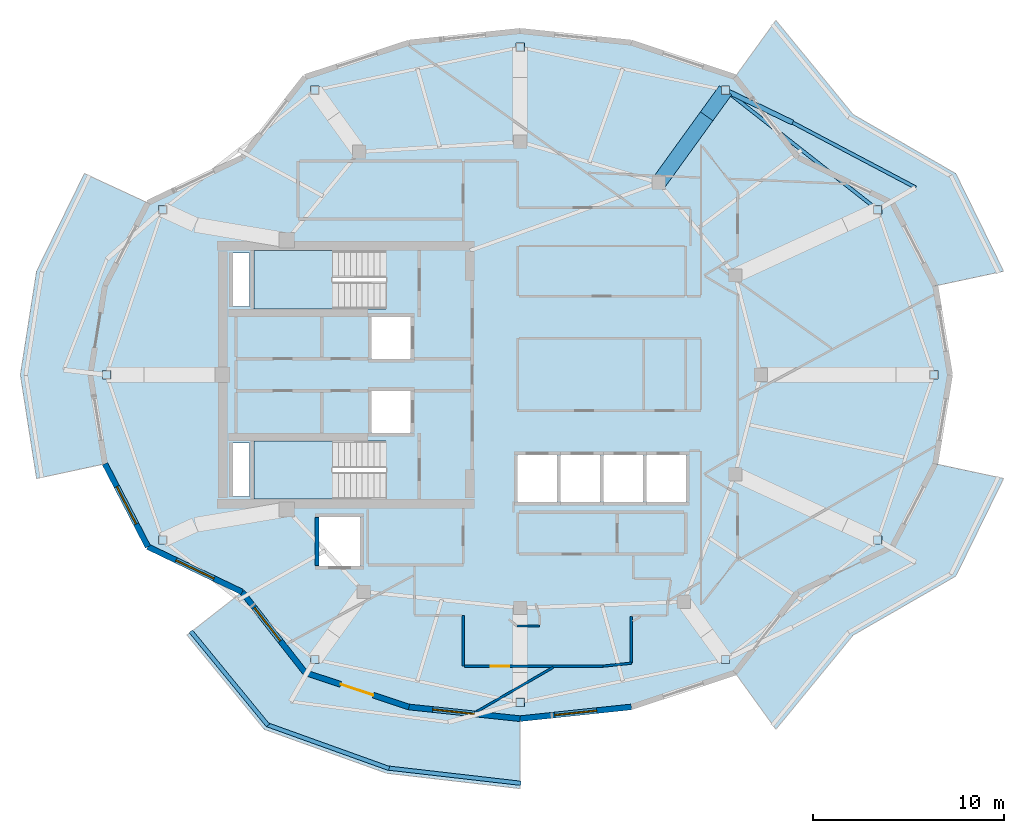
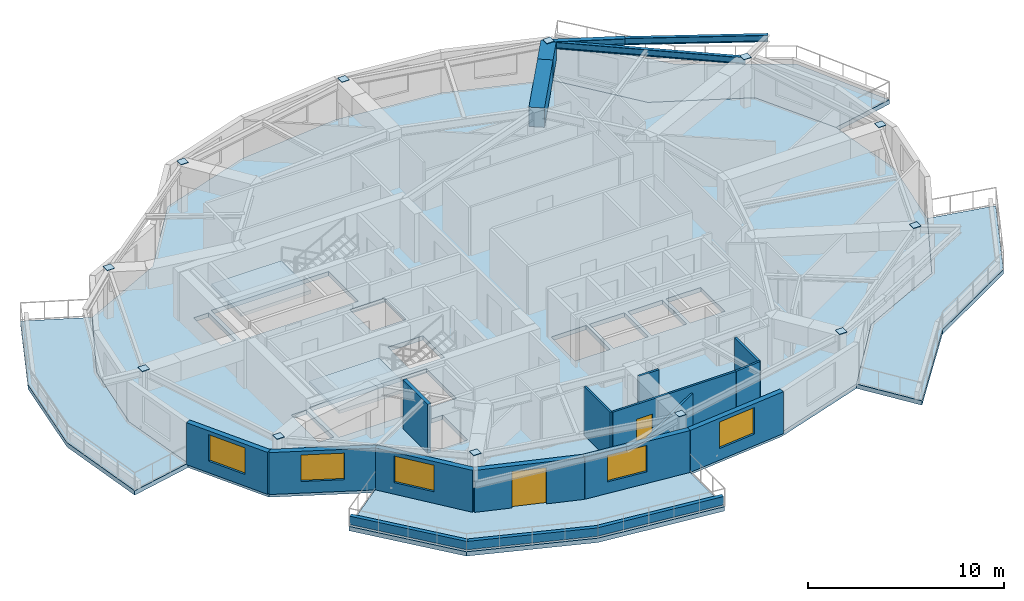
# One storey, part 3 of 11: 16 walls, 12 plates, 7 slabs, 5 beams, 5 windows, 2 doors, 7 openings, 2 elements without a shape of their own.
"""IFC4 building model written with IfcOpenShell, lengths in metres."""

from ifc_helpers import new_model, si_unit, direction, frame, frame_2d, origin, origin_2d, place, context, subcontext, project, spatial, polyline, rectangle, i_section, outline, extrude, material, layer, layer_set, material_profile, profile_set, type_object, element, fill, aggregate, save


model = new_model("IFC4")

# Units and contexts
model_context = context("Model", 3, precision=1e-05, world=origin(), true_north=direction((0.0, 1.0)))
body_context = subcontext(model_context, "Body", "Model", "MODEL_VIEW")
ifc_project = project(units=[si_unit("LENGTHUNIT", "METRE"), si_unit("AREAUNIT", "SQUARE_METRE"), si_unit("VOLUMEUNIT", "CUBIC_METRE"), si_unit("PLANEANGLEUNIT", "RADIAN"), si_unit("MASSUNIT", "GRAM", prefix="KILO")], contexts=[model_context])

# Site, building, storey
site_placement = place(None, origin())
site = spatial("IfcSite", under=ifc_project, at=site_placement, CompositionType="ELEMENT")
building_placement = place(site_placement, origin())
building = spatial("IfcBuilding", under=site, at=building_placement, Name="Kolvaren Gate Tower and Convention Centre", CompositionType="ELEMENT")
storey_placement = place(building_placement, frame((0.0, 0.0, 255.800048828125)))
storey = spatial("IfcBuildingStorey", under=building, at=storey_placement, Name="L69", CompositionType="ELEMENT", Elevation=255.800048828125)

# Beams
ifc_material_1 = material(Name="Structural steel ASTM A992 Grade 345 MPa", Category="steel")
ifc_material_profile_1 = material_profile(ifc_material_1, i_section(OverallWidth=0.260009765625, OverallDepth=0.419921875, WebThickness=0.013427734375, FlangeThickness=0.0224609375, at=origin_2d()), Name="W410X132")
ifc_profile_set_1 = profile_set([ifc_material_profile_1], Name="Structural steel ASTM A992 Grade 345 MPa")
beam_type_1 = type_object("IfcBeamType", Name="STR-BM-W410X132", PredefinedType="BEAM", material=ifc_profile_set_1)
beam_1_placement = place(storey_placement, frame((40.877685546875, 41.899169921875, 2.820556640625), z_axis=(0.900903770379, -0.434018889586, 0.0), x_axis=(0.434018889586, 0.900903770379, 0.0)))
element("IfcBeam", 1, at=beam_1_placement, inside=storey, type_object=beam_type_1, Name="Tower L70 Planted Balcony Outrigger Cantilever BC-1B", PredefinedType="BEAM", context=body_context, shape_type="SweptSolid", body=[
    extrude(i_section(OverallWidth=0.260009765625, OverallDepth=0.419921875, WebThickness=0.013427734375, FlangeThickness=0.0224609375, at=origin_2d()), origin(), (0.0, 0.0, 1.0), 3.89990234375),
])
ifc_material_profile_2 = material_profile(ifc_material_1, i_section(OverallWidth=0.180908203125, OverallDepth=0.4169921875, WebThickness=0.010986328125, FlangeThickness=0.018310546875, at=origin_2d()), Name="W410X85")
ifc_profile_set_2 = profile_set([ifc_material_profile_2], Name="Structural steel ASTM A992 Grade 345 MPa")
beam_type_2 = type_object("IfcBeamType", Name="STR-SP-W410X85", PredefinedType="SPANDREL", material=ifc_profile_set_2)
beam_2_placement = place(storey_placement, frame((48.8388671875, 35.6435546875, 2.821533203125), z_axis=(-0.786299093723, 0.61784604491, 0.0), x_axis=(-0.61784604491, -0.786299093723, 0.0)))
element("IfcBeam", 2, at=beam_2_placement, inside=storey, type_object=beam_type_2, Name="Tower L69 Perimeter Spandrel Beam SP-02", PredefinedType="SPANDREL", context=body_context, shape_type="SweptSolid", body=[
    extrude(i_section(OverallWidth=0.180908203125, OverallDepth=0.4169921875, WebThickness=0.010986328125, FlangeThickness=0.018310546875, at=origin_2d()), origin(), (0.0, 0.0, 1.0), 10.124755859375),
])
beam_3_placement = place(storey_placement, frame((50.83251953125, 36.8046875, 2.822021484375), z_axis=(-0.884258670373, 0.466997434543, 0.0), x_axis=(-0.466997434543, -0.884258670373, 0.0)))
element("IfcBeam", 3, at=beam_3_placement, inside=storey, type_object=beam_type_2, Name="Tower L70 Planted Balcony Header Tie Beam BT-1", PredefinedType="SPANDREL", context=body_context, shape_type="SweptSolid", body=[
    extrude(i_section(OverallWidth=0.180908203125, OverallDepth=0.4169921875, WebThickness=0.010986328125, FlangeThickness=0.018310546875, at=origin_2d()), origin(), (0.0, 0.0, 1.0), 7.284423828125),
])
ifc_material_2 = material(Name="Concrete C70/85", Category="concrete")
ifc_material_profile_3 = material_profile(ifc_material_2, rectangle(XDim=0.800048828125, YDim=1.199951171875, at=origin_2d()), Name="RC-BM-800X1200")
ifc_profile_set_3 = profile_set([ifc_material_profile_3], Name="Concrete C70/85")
beam_type_3 = type_object("IfcBeamType", Name="STR-TG-RC800X1200", PredefinedType="USERDEFINED", material=ifc_profile_set_3)
beam_4_placement = place(storey_placement, frame((37.381591796875, 37.054931640625, 2.430419921875), z_axis=(0.585218448818, 0.810875679228, 0.0), x_axis=(-0.810875679228, 0.585218448818, 0.0)))
element("IfcBeam", 4, at=beam_4_placement, inside=storey, type_object=beam_type_3, Name="Tower L69 Zone-Transition Radial Transfer Girder XFG-03A", ObjectType="TRANSFER GIRDER", PredefinedType="USERDEFINED", context=body_context, shape_type="SweptSolid", body=[
    extrude(rectangle(XDim=0.800048828125, YDim=1.199951171875, at=origin_2d()), origin(), (0.0, 0.0, 1.0), 4.2919921875),
])
beam_5_placement = place(storey_placement, frame((39.893310546875, 40.53515625, 2.430419921875), z_axis=(0.585199061098, 0.810889671219, 0.0), x_axis=(-0.810889671219, 0.585199061098, 0.0)))
element("IfcBeam", 5, at=beam_5_placement, inside=storey, type_object=beam_type_3, Name="Tower L69 Zone-Transition Radial Transfer Girder XFG-03B", ObjectType="TRANSFER GIRDER", PredefinedType="USERDEFINED", context=body_context, shape_type="SweptSolid", body=[
    extrude(rectangle(XDim=0.800048828125, YDim=1.199951171875, at=origin_2d()), origin(), (0.0, 0.0, 1.0), 1.68212890625),
])

# Plates
ifc_material_3 = material(Name="Structural steel plate ASTM A572 Grade 345 MPa", Category="steel")
ifc_layer_1 = layer(ifc_material_3, 0.030029296875)
ifc_layer_set_1 = layer_set([ifc_layer_1], Name="Structural steel plate ASTM A572 Grade 345 MPa")
plate_type = type_object("IfcPlateType", Name="STR-PL-CAP-30", PredefinedType="USERDEFINED", material=ifc_layer_set_1)
for number, where, z_axis, x_axis, name in (
    (6, (51.77490234375, 27.0, 3.02685546875), (0.0, 0.0, 1.0), (1.0, 0.0, 0.0), "Supercolumn L69 TP-01 Welded Steel Cap Plate"),
    (7, (48.8388671875, 35.6435546875, 3.02685546875), (0.0, 0.0, 1.0), (1.0, 0.0, 0.0), "Supercolumn L69 TP-02 Welded Steel Cap Plate"),
    (8, (40.877685546875, 41.899169921875, 3.02685546875), (0.0, 0.0, 1.0), (1.0, 0.0, 0.0), "Supercolumn L69 TP-03 Welded Steel Cap Plate"),
    (9, (30.125, 44.14990234375, 3.02685546875), (0.0, 0.0, 1.0), (1.0, 0.0, 0.0), "Supercolumn L69 TP-04 Welded Steel Cap Plate"),
    (10, (19.372314453125, 41.899169921875, 3.02685546875), (0.0, 0.0, 1.0), (1.0, 0.0, 0.0), "Supercolumn L69 TP-05 Welded Steel Cap Plate"),
    (11, (11.4111328125, 35.6435546875, 3.02685546875), (0.0, 0.0, 1.0), (1.0, 0.0, 0.0), "Supercolumn L69 TP-06 Welded Steel Cap Plate"),
    (12, (8.47509765625, 27.0, 3.02685546875), (0.0, 0.0, 1.0), (1.0, 0.0, 0.0), "Supercolumn L69 TP-07 Welded Steel Cap Plate"),
    (13, (11.4111328125, 18.3564453125, 3.02685546875), (0.0, 0.0, 1.0), (1.0, 0.0, 0.0), "Supercolumn L69 TP-08 Welded Steel Cap Plate"),
    (14, (19.372314453125, 12.100830078125, 3.02685546875), (0.0, 0.0, 1.0), (1.0, 0.0, 0.0), "Supercolumn L69 TP-09 Welded Steel Cap Plate"),
    (15, (30.125, 9.85009765625, 3.02685546875), (0.0, 0.0, 1.0), (1.0, 0.0, 0.0), "Supercolumn L69 TP-10 Welded Steel Cap Plate"),
    (16, (40.877685546875, 12.100830078125, 3.02685546875), (0.0, 0.0, 1.0), (1.0, 0.0, 0.0), "Supercolumn L69 TP-11 Welded Steel Cap Plate"),
    (17, (48.8388671875, 18.3564453125, 3.02685546875), (0.0, 0.0, 1.0), (1.0, 0.0, 0.0), "Supercolumn L69 TP-12 Welded Steel Cap Plate"),
):
    element("IfcPlate", number, at=place(storey_placement, frame(where, z_axis=z_axis, x_axis=x_axis)), inside=storey, type_object=plate_type, Name=name, ObjectType="END PLATE", PredefinedType="USERDEFINED", context=body_context, shape_type="SweptSolid", body=[
        extrude(rectangle(XDim=0.43994140625, YDim=0.43994140625, at=origin_2d()), origin(), (0.0, 0.0, 1.0), 0.030029296875),
    ])

# Slabs
ifc_material_4 = material(Name="Concrete C50/60", Category="concrete")
ifc_layer_2 = layer(ifc_material_4, 0.27001953125)
ifc_layer_set_2 = layer_set([ifc_layer_2], Name="Concrete C50/60")
slab_type_1 = type_object("IfcSlabType", Name="STR-SL-BALC-270", PredefinedType="FLOOR", material=ifc_layer_set_2)
slab_1_placement = place(storey_placement, frame((0.0, 0.0, -0.27001953125)))
element("IfcSlab", 18, at=slab_1_placement, inside=storey, type_object=slab_type_1, Name="Tower L69 Planted Balcony Terrace Slab 1 (East)", PredefinedType="FLOOR", context=body_context, shape_type="SweptSolid", body=[
    extrude(outline(polyline([(51.8583984375, 31.65869140625), (49.610595703125, 36.0), (44.67724609375, 38.370361328125), (41.375, 42.58837890625), (43.516845703125, 45.556396484375), (47.561279296875, 40.623779296875), (52.933349609375, 37.53466796875), (55.43701171875, 32.42578125), (51.8583984375, 31.65869140625)])), origin(), (0.0, 0.0, 1.0), 0.27001953125),
])
slab_2_placement = place(storey_placement, frame((0.0, 0.0, -0.27001953125)))
element("IfcSlab", 19, at=slab_2_placement, inside=storey, type_object=slab_type_1, Name="Tower L69 Planted Balcony Terrace Slab 2 (West)", PredefinedType="FLOOR", context=body_context, shape_type="SweptSolid", body=[
    extrude(outline(polyline([(10.639404296875, 36.0), (8.3916015625, 31.65869140625), (7.625, 27.0), (8.3916015625, 22.34130859375), (4.81298828125, 21.57421875), (3.965087890625, 27.0), (4.81298828125, 32.42578125), (7.316650390625, 37.53466796875), (10.639404296875, 36.0)])), origin(), (0.0, 0.0, 1.0), 0.27001953125),
])
slab_3_placement = place(storey_placement, frame((0.0, 0.0, -0.27001953125)))
element("IfcSlab", 20, at=slab_3_placement, inside=storey, type_object=slab_type_1, Name="Tower L69 Planted Balcony Terrace Slab 3 (South)", PredefinedType="FLOOR", context=body_context, shape_type="SweptSolid", body=[
    extrude(outline(polyline([(15.57275390625, 15.629638671875), (18.875, 11.41162109375), (24.301513671875, 9.61328125), (30.125, 9.0), (30.125, 5.340087890625), (23.13916015625, 6.142822265625), (16.733154296875, 8.443603515625), (12.688720703125, 13.376220703125), (15.57275390625, 15.629638671875)])), origin(), (0.0, 0.0, 1.0), 0.27001953125),
])
slab_4_placement = place(storey_placement, frame((0.0, 0.0, -0.27001953125)))
element("IfcSlab", 21, at=slab_4_placement, inside=storey, type_object=slab_type_1, Name="Tower L69 Planted Balcony Terrace Slab 4 (East)", PredefinedType="FLOOR", context=body_context, shape_type="SweptSolid", body=[
    extrude(outline(polyline([(41.375, 11.41162109375), (44.67724609375, 15.629638671875), (49.610595703125, 18.0), (51.8583984375, 22.34130859375), (55.43701171875, 21.57421875), (52.933349609375, 16.46533203125), (47.561279296875, 13.376220703125), (43.516845703125, 8.443603515625), (41.375, 11.41162109375)])), origin(), (0.0, 0.0, 1.0), 0.27001953125),
])
ifc_material_5 = material(Name="Concrete C40/50", Category="concrete")
ifc_layer_3 = layer(ifc_material_5, 0.27001953125)
ifc_layer_set_3 = layer_set([ifc_layer_3], Name="Concrete C40/50")
slab_type_2 = type_object("IfcSlabType", Name="STR-SL-FLR-270", PredefinedType="FLOOR", material=ifc_layer_set_3)
slab_5_placement = place(storey_placement, frame((0.0, 0.0, -0.27001953125)))
element("IfcSlab", 22, at=slab_5_placement, inside=storey, type_object=slab_type_2, Name="Tower L69 Structural Floor Slab", PredefinedType="FLOOR", context=body_context, shape_type="SweptSolid", body=[
    extrude(outline(polyline([(52.625, 27.0), (51.8583984375, 31.65869140625), (49.610595703125, 36.0), (44.67724609375, 38.370361328125), (41.375, 42.58837890625), (35.948486328125, 44.38671875), (30.125, 45.0), (24.301513671875, 44.38671875), (18.875, 42.58837890625), (15.57275390625, 38.370361328125), (10.639404296875, 36.0), (8.3916015625, 31.65869140625), (7.625, 27.0), (8.3916015625, 22.34130859375), (10.639404296875, 18.0), (15.57275390625, 15.629638671875), (18.875, 11.41162109375), (24.301513671875, 9.61328125), (30.125, 9.0), (35.948486328125, 9.61328125), (41.375, 11.41162109375), (44.67724609375, 15.629638671875), (49.610595703125, 18.0), (51.8583984375, 22.34130859375), (52.625, 27.0)]), holes=[polyline([(36.75, 20.35009765625), (36.75, 22.800048828125), (38.800048828125, 22.800048828125), (38.800048828125, 20.35009765625), (36.75, 20.35009765625)]), polyline([(36.550048828125, 20.35009765625), (34.5, 20.35009765625), (34.5, 22.800048828125), (36.550048828125, 22.800048828125), (36.550048828125, 20.35009765625)]), polyline([(32.25, 20.35009765625), (32.25, 22.800048828125), (34.300048828125, 22.800048828125), (34.300048828125, 20.35009765625), (32.25, 20.35009765625)]), polyline([(30.0, 20.35009765625), (30.0, 22.800048828125), (32.050048828125, 22.800048828125), (32.050048828125, 20.35009765625), (30.0, 20.35009765625)]), polyline([(22.35009765625, 23.9599609375), (22.35009765625, 26.159912109375), (24.39990234375, 26.159912109375), (24.39990234375, 23.9599609375), (22.35009765625, 23.9599609375)]), polyline([(22.35009765625, 27.840087890625), (22.35009765625, 30.0400390625), (24.39990234375, 30.0400390625), (24.39990234375, 27.840087890625), (22.35009765625, 27.840087890625)]), polyline([(16.199951171875, 23.5400390625), (23.10009765625, 23.5400390625), (23.10009765625, 20.5), (16.199951171875, 20.5), (16.199951171875, 23.5400390625)]), polyline([(16.199951171875, 33.5), (23.10009765625, 33.5), (23.10009765625, 30.4599609375), (16.199951171875, 30.4599609375), (16.199951171875, 33.5)]), polyline([(21.75, 17.0), (19.60009765625, 17.0), (19.60009765625, 19.550048828125), (21.75, 19.550048828125), (21.75, 17.0)]), polyline([(15.080078125, 30.580078125), (15.080078125, 33.3701171875), (15.969970703125, 33.3701171875), (15.969970703125, 30.580078125), (15.080078125, 30.580078125)]), polyline([(15.969970703125, 20.6298828125), (15.080078125, 20.6298828125), (15.080078125, 23.419921875), (15.969970703125, 23.419921875), (15.969970703125, 20.6298828125)])]), origin(), (0.0, 0.0, 1.0), 0.27001953125),
])

# Stair, slab
stair_type = type_object("IfcStairType", Name="STR-STAIR-CORE", PredefinedType="HALF_TURN_STAIR", material=ifc_material_4)
stair_1_placement = place(storey_placement, origin())
stair_1 = element("IfcStair", 23, at=stair_1_placement, inside=storey, type_object=stair_type, Name="L69 Tower North Exit Stair ST-T1", PredefinedType="HALF_TURN_STAIR")
ifc_layer_4 = layer(ifc_material_4, 0.199951171875)
ifc_layer_set_4 = layer_set([ifc_layer_4], Name="Concrete C50/60")
slab_type_3 = type_object("IfcSlabType", Name="STR-SL-LAND-200", PredefinedType="LANDING", material=ifc_layer_set_4)
slab_6_placement = place(storey_placement, frame((0.0, 0.0, 1.449951171875)))
slab_6 = element("IfcSlab", 24, at=slab_6_placement, type_object=slab_type_3, Name="ST-T1 landing 1", PredefinedType="LANDING", context=body_context, shape_type="SweptSolid", body=[
    extrude(outline(polyline([(20.31005859375, 33.5), (16.199951171875, 33.5), (16.199951171875, 30.4599609375), (20.31005859375, 30.4599609375), (20.31005859375, 33.5)])), origin(), (0.0, 0.0, 1.0), 0.199951171875),
])
aggregate(stair_1, [slab_6])

stair_2_placement = place(storey_placement, origin())
stair_2 = element("IfcStair", 25, at=stair_2_placement, inside=storey, type_object=stair_type, Name="L69 Tower South Exit Stair ST-T2", PredefinedType="HALF_TURN_STAIR")
slab_7_placement = place(storey_placement, frame((0.0, 0.0, 1.449951171875)))
slab_7 = element("IfcSlab", 26, at=slab_7_placement, type_object=slab_type_3, Name="ST-T2 landing 1", PredefinedType="LANDING", context=body_context, shape_type="SweptSolid", body=[
    extrude(outline(polyline([(20.31005859375, 23.5400390625), (16.199951171875, 23.5400390625), (16.199951171875, 20.5), (20.31005859375, 20.5), (20.31005859375, 23.5400390625)])), origin(), (0.0, 0.0, 1.0), 0.199951171875),
])
aggregate(stair_2, [slab_7])

# Walls
ifc_material_6 = material(Name="Fire-Rated Acoustic Gypsum Stud Partition", Category="gypsum")
ifc_layer_5 = layer(ifc_material_6, 0.1201171875)
ifc_layer_set_5 = layer_set([ifc_layer_5], Name="Fire-Rated Acoustic Gypsum Stud Partition")
wall_type_1 = type_object("IfcWallType", Name="ARCH-WL-PART-120", PredefinedType="PARTITIONING", material=ifc_layer_set_5)
wall_1_placement = place(storey_placement, frame((27.14990234375, 11.75, 0.0), z_axis=(0.0, 0.0, 1.0), x_axis=(0.0, 1.0, 0.0)))
element("IfcWall", 27, at=wall_1_placement, inside=storey, type_object=wall_type_1, Name="Interior Partition WL-L69-INT-011", PredefinedType="PARTITIONING", context=body_context, shape_type="SweptSolid", body=[
    extrude(rectangle(XDim=2.64990234375, YDim=0.1201171875, at=frame_2d((1.324951171875, 0.0))), origin(), (0.0, 0.0, 1.0), 3.030029296875),
])
wall_2_placement = place(storey_placement, frame((35.949951171875, 11.906005859375, 0.0), z_axis=(0.0, 0.0, 1.0), x_axis=(0.0, 1.0, 0.0)))
element("IfcWall", 28, at=wall_2_placement, inside=storey, type_object=wall_type_1, Name="Interior Partition WL-L69-INT-058", PredefinedType="PARTITIONING", context=body_context, shape_type="SweptSolid", body=[
    extrude(rectangle(XDim=2.431884765625, YDim=0.1201171875, at=frame_2d((1.2158203125, 0.0))), origin(), (0.0, 0.0, 1.0), 3.030029296875),
])
wall_3_placement = place(storey_placement, frame((34.468017578125, 11.75, 0.0), z_axis=(0.0, 0.0, 1.0), x_axis=(0.994504555135, 0.104693313135, 0.0)))
element("IfcWall", 29, at=wall_3_placement, inside=storey, type_object=wall_type_1, Name="Interior Partition WL-L69-INT-059", PredefinedType="PARTITIONING", context=body_context, shape_type="SweptSolid", body=[
    extrude(rectangle(XDim=1.490234375, YDim=0.1201171875, at=frame_2d((0.7451171875, 0.0))), origin(), (0.0, 0.0, 1.0), 3.030029296875),
])

# Wall, opening, door
wall_4_placement = place(storey_placement, frame((27.2119140625, 11.75, 0.0), z_axis=(0.0, 0.0, 1.0), x_axis=(1.0, 0.0, 0.0)))
wall_4 = element("IfcWall", 30, at=wall_4_placement, inside=storey, type_object=wall_type_1, Name="Interior Partition WL-L69-INT-060", PredefinedType="PARTITIONING", context=body_context, shape_type="SweptSolid", body=[
    extrude(rectangle(XDim=7.256103515625, YDim=0.1201171875, at=frame_2d((3.6279296875, 0.0))), origin(), (0.0, 0.0, 1.0), 3.030029296875),
])
opening_1_placement = place(wall_4_placement, frame((1.3837890625, 0.0, 0.0)))
opening_1 = element("IfcOpeningElement", 31, at=opening_1_placement, cuts=wall_4, Name="Opening DR-01", PredefinedType="OPENING", context=body_context, shape_type="SweptSolid", body=[
    extrude(rectangle(XDim=0.949951171875, YDim=2.10009765625, at=frame_2d((0.47509765625, 1.050048828125))), frame((0.0, 0.070068359375, 0.0), z_axis=(0.0, -1.0, 0.0), x_axis=(1.0, 0.0, 0.0)), (0.0, 0.0, 1.0), 0.14013671875),
])
ifc_material_7 = material(Name="Painted Architectural Steelwork ASTM A500 Grade C 345 MPa", Category="steel")
door_type_1 = type_object("IfcDoorType", Name="ARCH-DR-RISER-950", OperationType="SINGLE_SWING_RIGHT", PredefinedType="DOOR", material=ifc_material_7)
door_1_placement = place(opening_1_placement, origin())
door_1 = element("IfcDoor", 32, at=door_1_placement, inside=storey, type_object=door_type_1, Name="Penthouse Strategy Boardroom Door", OperationType="SINGLE_SWING_RIGHT", OverallHeight=2.10009765625, OverallWidth=0.949951171875, PredefinedType="DOOR", context=body_context, shape_type="SweptSolid", body=[
    extrude(rectangle(XDim=0.949951171875, YDim=2.10009765625, at=frame_2d((0.47509765625, 1.050048828125))), frame((0.0, 0.02490234375, 0.0), z_axis=(0.0, -1.0, 0.0), x_axis=(1.0, 0.0, 0.0)), (0.0, 0.0, 1.0), 0.050048828125),
])
fill(opening_1, door_1)

# Walls
wall_5_placement = place(storey_placement, frame((29.9599609375, 13.85009765625, 0.0), z_axis=(0.0, 0.0, 1.0), x_axis=(1.0, 0.0, 0.0)))
element("IfcWall", 33, at=wall_5_placement, inside=storey, type_object=wall_type_1, Name="Interior Partition WL-L69-INT-062", PredefinedType="PARTITIONING", context=body_context, shape_type="SweptSolid", body=[
    extrude(rectangle(XDim=1.18994140625, YDim=0.1201171875, at=frame_2d((0.594970703125, 0.0))), origin(), (0.0, 0.0, 1.0), 3.030029296875),
])
wall_6_placement = place(storey_placement, frame((27.884033203125, 9.388916015625, 0.0), z_axis=(0.0, 0.0, 1.0), x_axis=(0.865363124713, 0.501145350558, 0.0)))
element("IfcWall", 34, at=wall_6_placement, inside=storey, type_object=wall_type_1, Name="Interior Partition WL-L69-INT-068", PredefinedType="PARTITIONING", context=body_context, shape_type="SweptSolid", body=[
    extrude(rectangle(XDim=4.587646484375, YDim=0.1201171875, at=frame_2d((2.2939453125, 0.0))), origin(), (0.0, 0.0, 1.0), 2.6025390625),
])
ifc_material_8 = material(Name="Piedmont Cream Honed Limestone Cladding", Category="masonry")
ifc_layer_6 = layer(ifc_material_8, 0.219970703125)
ifc_layer_set_6 = layer_set([ifc_layer_6], Name="Piedmont Cream Honed Limestone Cladding")
wall_type_2 = type_object("IfcWallType", Name="ARCH-WL-PLANTER-220", PredefinedType="PARAPET", material=ifc_layer_set_6)
wall_7_placement = place(storey_placement, frame((12.88232421875, 13.57861328125, 0.0), z_axis=(0.0, 0.0, 1.0), x_axis=(0.63407318032, -0.77327304492, 0.0)))
element("IfcWall", 35, at=wall_7_placement, inside=storey, type_object=wall_type_2, Name="Vertical-Forest Balcony Stone Planter Kerb PK-L69-3.1", PredefinedType="PARAPET", context=body_context, shape_type="SweptSolid", body=[
    extrude(rectangle(XDim=6.37890625, YDim=0.219970703125, at=frame_2d((3.189453125, 0.0))), origin(), (0.0, 0.0, 1.0), 0.52001953125),
])
wall_8_placement = place(storey_placement, frame((16.86181640625, 8.6923828125, 0.0), z_axis=(0.0, 0.0, 1.0), x_axis=(0.941139090914, -0.338019543152, 0.0)))
element("IfcWall", 36, at=wall_8_placement, inside=storey, type_object=wall_type_2, Name="Vertical-Forest Balcony Stone Planter Kerb PK-L69-3.2", PredefinedType="PARAPET", context=body_context, shape_type="SweptSolid", body=[
    extrude(rectangle(XDim=6.806640625, YDim=0.219970703125, at=frame_2d((3.4033203125, 0.0))), origin(), (0.0, 0.0, 1.0), 0.52001953125),
])
wall_9_placement = place(storey_placement, frame((23.1845703125, 6.419189453125, 0.0), z_axis=(0.0, 0.0, 1.0), x_axis=(0.993458716016, -0.114191854231, 0.0)))
element("IfcWall", 37, at=wall_9_placement, inside=storey, type_object=wall_type_2, Name="Vertical-Forest Balcony Stone Planter Kerb PK-L69-3.3", PredefinedType="PARAPET", context=body_context, shape_type="SweptSolid", body=[
    extrude(rectangle(XDim=7.03173828125, YDim=0.219970703125, at=frame_2d((3.515869140625, 0.0))), origin(), (0.0, 0.0, 1.0), 0.52001953125),
])
ifc_material_9 = material(Name="Autoclaved Aerated Masonry Blockwork Class 4 (4.0 MPa)", Category="masonry")
ifc_layer_7 = layer(ifc_material_9, 0.199951171875)
ifc_layer_set_7 = layer_set([ifc_layer_7], Name="Autoclaved Aerated Masonry Blockwork Class 4 (4.0 MPa)")
wall_type_3 = type_object("IfcWallType", Name="ARCH-WL-SHAFT-200", PredefinedType="SOLIDWALL", material=ifc_layer_set_7)
wall_10_placement = place(storey_placement, frame((19.5, 17.010009765625, 0.0), z_axis=(0.0, 0.0, 1.0), x_axis=(0.0, 1.0, 0.0)))
element("IfcWall", 38, at=wall_10_placement, inside=storey, type_object=wall_type_3, Name="Elevator SV-01 L69 Fire Shaft Wall W", PredefinedType="SOLIDWALL", context=body_context, shape_type="SweptSolid", body=[
    extrude(rectangle(XDim=2.530029296875, YDim=0.199951171875, at=frame_2d((1.26513671875, 0.0))), origin(), (0.0, 0.0, 1.0), 3.030029296875),
])

# Wall, opening, window
ifc_layer_8 = layer(ifc_material_8, 0.300048828125)
ifc_layer_set_8 = layer_set([ifc_layer_8], Name="Piedmont Cream Honed Limestone Cladding")
wall_type_4 = type_object("IfcWallType", Name="ARCH-WL-STONE-300", PredefinedType="SOLIDWALL", material=ifc_layer_set_8)
wall_11_placement = place(storey_placement, frame((8.3916015625, 22.34130859375, 0.0), z_axis=(0.0, 0.0, 1.0), x_axis=(0.459793771602, -0.888025724625, 0.0)))
wall_11 = element("IfcWall", 39, at=wall_11_placement, inside=storey, type_object=wall_type_4, Name="Tower L69 Honed Stone Spandrel Wall EW-13", PredefinedType="SOLIDWALL", context=body_context, shape_type="SweptSolid", body=[
    extrude(rectangle(XDim=4.888671875, YDim=0.300048828125, at=frame_2d((2.4443359375, 0.0))), origin(), (0.0, 0.0, 1.0), 2.60498046875),
])
opening_2_placement = place(wall_11_placement, frame((1.343994140625, 0.0, 0.719970703125)))
opening_2 = element("IfcOpeningElement", 40, at=opening_2_placement, cuts=wall_11, Name="Opening W-03", PredefinedType="OPENING", context=body_context, shape_type="SweptSolid", body=[
    extrude(rectangle(XDim=2.199951171875, YDim=1.64990234375, at=frame_2d((1.10009765625, 0.824951171875))), frame((0.0, 0.159912109375, 0.0), z_axis=(0.0, -1.0, 0.0), x_axis=(1.0, 0.0, 0.0)), (0.0, 0.0, 1.0), 0.320068359375),
])
ifc_material_10 = material(Name="Low-E Triple Insulated Glazing Unit 44 mm", Category="glass")
window_type = type_object("IfcWindowType", Name="ARCH-WN-RES-2200", PartitioningType="SINGLE_PANEL", PredefinedType="WINDOW", material=ifc_material_10)
window_1_placement = place(opening_2_placement, origin())
window_1 = element("IfcWindow", 41, at=window_1_placement, inside=storey, type_object=window_type, Name="Tower L69 Punched Stone Facade Window W-13", OverallHeight=1.64990234375, OverallWidth=2.199951171875, PartitioningType="SINGLE_PANEL", PredefinedType="WINDOW", context=body_context, shape_type="SweptSolid", body=[
    extrude(rectangle(XDim=2.199951171875, YDim=1.64990234375, at=frame_2d((1.10009765625, 0.824951171875))), frame((0.0, 0.030029296875, 0.0), z_axis=(0.0, -1.0, 0.0), x_axis=(1.0, 0.0, 0.0)), (0.0, 0.0, 1.0), 0.06005859375),
])
fill(opening_2, window_1)

wall_12_placement = place(storey_placement, frame((10.639404296875, 18.0, 0.0), z_axis=(0.0, 0.0, 1.0), x_axis=(0.901355238351, -0.433080517106, 0.0)))
wall_12 = element("IfcWall", 42, at=wall_12_placement, inside=storey, type_object=wall_type_4, Name="Tower L69 Honed Stone Spandrel Wall EW-14", PredefinedType="SOLIDWALL", context=body_context, shape_type="SweptSolid", body=[
    extrude(rectangle(XDim=5.47314453125, YDim=0.300048828125, at=frame_2d((2.736572265625, 0.0))), origin(), (0.0, 0.0, 1.0), 2.60498046875),
])
opening_3_placement = place(wall_12_placement, frame((1.636962890625, 0.0, 0.719970703125)))
opening_3 = element("IfcOpeningElement", 43, at=opening_3_placement, cuts=wall_12, Name="Opening W-03", PredefinedType="OPENING", context=body_context, shape_type="SweptSolid", body=[
    extrude(rectangle(XDim=2.199951171875, YDim=1.64990234375, at=frame_2d((1.10009765625, 0.824951171875))), frame((0.0, 0.159912109375, 0.0), z_axis=(0.0, -1.0, 0.0), x_axis=(1.0, 0.0, 0.0)), (0.0, 0.0, 1.0), 0.320068359375),
])
window_2_placement = place(opening_3_placement, origin())
window_2 = element("IfcWindow", 44, at=window_2_placement, inside=storey, type_object=window_type, Name="Tower L69 Punched Stone Facade Window W-14", OverallHeight=1.64990234375, OverallWidth=2.199951171875, PartitioningType="SINGLE_PANEL", PredefinedType="WINDOW", context=body_context, shape_type="SweptSolid", body=[
    extrude(rectangle(XDim=2.199951171875, YDim=1.64990234375, at=frame_2d((1.10009765625, 0.824951171875))), frame((0.0, 0.030029296875, 0.0), z_axis=(0.0, -1.0, 0.0), x_axis=(1.0, 0.0, 0.0)), (0.0, 0.0, 1.0), 0.06005859375),
])
fill(opening_3, window_2)

wall_13_placement = place(storey_placement, frame((15.57275390625, 15.629638671875, 0.0), z_axis=(0.0, 0.0, 1.0), x_axis=(0.61644588519, -0.787397276241, 0.0)))
wall_13 = element("IfcWall", 45, at=wall_13_placement, inside=storey, type_object=wall_type_4, Name="Tower L69 Honed Stone Spandrel Wall EW-15", PredefinedType="SOLIDWALL", context=body_context, shape_type="SweptSolid", body=[
    extrude(rectangle(XDim=5.35693359375, YDim=0.300048828125, at=frame_2d((2.678466796875, 0.0))), origin(), (0.0, 0.0, 1.0), 2.60498046875),
])
opening_4_placement = place(wall_13_placement, frame((1.050048828125, 0.0, 0.719970703125)))
opening_4 = element("IfcOpeningElement", 46, at=opening_4_placement, cuts=wall_13, Name="Opening W-03", PredefinedType="OPENING", context=body_context, shape_type="SweptSolid", body=[
    extrude(rectangle(XDim=2.199951171875, YDim=1.64990234375, at=frame_2d((1.10009765625, 0.824951171875))), frame((0.0, 0.159912109375, 0.0), z_axis=(0.0, -1.0, 0.0), x_axis=(1.0, 0.0, 0.0)), (0.0, 0.0, 1.0), 0.320068359375),
])
window_3_placement = place(opening_4_placement, origin())
window_3 = element("IfcWindow", 47, at=window_3_placement, inside=storey, type_object=window_type, Name="Tower L69 Punched Stone Facade Window W-15", OverallHeight=1.64990234375, OverallWidth=2.199951171875, PartitioningType="SINGLE_PANEL", PredefinedType="WINDOW", context=body_context, shape_type="SweptSolid", body=[
    extrude(rectangle(XDim=2.199951171875, YDim=1.64990234375, at=frame_2d((1.10009765625, 0.824951171875))), frame((0.0, 0.030029296875, 0.0), z_axis=(0.0, -1.0, 0.0), x_axis=(1.0, 0.0, 0.0)), (0.0, 0.0, 1.0), 0.06005859375),
])
fill(opening_4, window_3)

# Wall, opening, door
wall_14_placement = place(storey_placement, frame((18.875, 11.41162109375, 0.0), z_axis=(0.0, 0.0, 1.0), x_axis=(0.949232769585, -0.314574552605, 0.0)))
wall_14 = element("IfcWall", 48, at=wall_14_placement, inside=storey, type_object=wall_type_4, Name="Tower L69 Honed Stone Spandrel Wall EW-16", PredefinedType="SOLIDWALL", context=body_context, shape_type="SweptSolid", body=[
    extrude(rectangle(XDim=5.716796875, YDim=0.300048828125, at=frame_2d((2.8583984375, 0.0))), origin(), (0.0, 0.0, 1.0), 2.60498046875),
])
opening_5_placement = place(wall_14_placement, frame((1.9580078125, 0.0, 0.0)))
opening_5 = element("IfcOpeningElement", 49, at=opening_5_placement, cuts=wall_14, Name="Opening DB-01", PredefinedType="OPENING", context=body_context, shape_type="SweptSolid", body=[
    extrude(rectangle(XDim=1.800048828125, YDim=2.25, at=frame_2d((0.89990234375, 1.125))), frame((0.0, 0.159912109375, 0.0), z_axis=(0.0, -1.0, 0.0), x_axis=(1.0, 0.0, 0.0)), (0.0, 0.0, 1.0), 0.320068359375),
])
ifc_material_11 = material(Name="Anodized Architectural Aluminium Alloy 6063-T6", Category="aluminium")
door_type_2 = type_object("IfcDoorType", Name="ARCH-DR-BALC-1800", OperationType="SLIDING_TO_LEFT", PredefinedType="DOOR", material=ifc_material_11)
door_2_placement = place(opening_5_placement, frame((1.800048828125, 0.0, 0.0), z_axis=(0.0, 0.0, 1.0), x_axis=(-1.0, 0.0, 0.0)))
door_2 = element("IfcDoor", 50, at=door_2_placement, inside=storey, type_object=door_type_2, Name="Planted Sky Terrace Access Door DB-L69-16", OperationType="SLIDING_TO_LEFT", OverallHeight=2.25, OverallWidth=1.800048828125, PredefinedType="DOOR", context=body_context, shape_type="SweptSolid", body=[
    extrude(rectangle(XDim=1.800048828125, YDim=2.25, at=frame_2d((0.89990234375, 1.125))), frame((0.0, 0.02490234375, 0.0), z_axis=(0.0, -1.0, 0.0), x_axis=(1.0, 0.0, 0.0)), (0.0, 0.0, 1.0), 0.050048828125),
])
fill(opening_5, door_2)

# Wall, opening, window
wall_15_placement = place(storey_placement, frame((24.301513671875, 9.61328125, 0.0), z_axis=(0.0, 0.0, 1.0), x_axis=(0.994500425783, -0.10473253132, 0.0)))
wall_15 = element("IfcWall", 51, at=wall_15_placement, inside=storey, type_object=wall_type_4, Name="Tower L69 Honed Stone Spandrel Wall EW-17", PredefinedType="SOLIDWALL", context=body_context, shape_type="SweptSolid", body=[
    extrude(rectangle(XDim=5.855712890625, YDim=0.300048828125, at=frame_2d((2.927734375, 0.0))), origin(), (0.0, 0.0, 1.0), 2.60498046875),
])
opening_6_placement = place(wall_15_placement, frame((1.25, 0.0, 0.719970703125)))
opening_6 = element("IfcOpeningElement", 52, at=opening_6_placement, cuts=wall_15, Name="Opening W-03", PredefinedType="OPENING", context=body_context, shape_type="SweptSolid", body=[
    extrude(rectangle(XDim=2.199951171875, YDim=1.64990234375, at=frame_2d((1.10009765625, 0.824951171875))), frame((0.0, 0.159912109375, 0.0), z_axis=(0.0, -1.0, 0.0), x_axis=(1.0, 0.0, 0.0)), (0.0, 0.0, 1.0), 0.320068359375),
])
window_4_placement = place(opening_6_placement, origin())
window_4 = element("IfcWindow", 53, at=window_4_placement, inside=storey, type_object=window_type, Name="Tower L69 Punched Stone Facade Window W-17", OverallHeight=1.64990234375, OverallWidth=2.199951171875, PartitioningType="SINGLE_PANEL", PredefinedType="WINDOW", context=body_context, shape_type="SweptSolid", body=[
    extrude(rectangle(XDim=2.199951171875, YDim=1.64990234375, at=frame_2d((1.10009765625, 0.824951171875))), frame((0.0, 0.030029296875, 0.0), z_axis=(0.0, -1.0, 0.0), x_axis=(1.0, 0.0, 0.0)), (0.0, 0.0, 1.0), 0.06005859375),
])
fill(opening_6, window_4)

wall_16_placement = place(storey_placement, frame((30.125, 9.0, 0.0), z_axis=(0.0, 0.0, 1.0), x_axis=(0.994500425783, 0.10473253132, 0.0)))
wall_16 = element("IfcWall", 54, at=wall_16_placement, inside=storey, type_object=wall_type_4, Name="Tower L69 Honed Stone Spandrel Wall EW-18", PredefinedType="SOLIDWALL", context=body_context, shape_type="SweptSolid", body=[
    extrude(rectangle(XDim=5.855712890625, YDim=0.300048828125, at=frame_2d((2.927734375, 0.0))), origin(), (0.0, 0.0, 1.0), 2.60498046875),
])
opening_7_placement = place(wall_16_placement, frame((1.827880859375, 0.0, 0.719970703125)))
opening_7 = element("IfcOpeningElement", 55, at=opening_7_placement, cuts=wall_16, Name="Opening W-03", PredefinedType="OPENING", context=body_context, shape_type="SweptSolid", body=[
    extrude(rectangle(XDim=2.199951171875, YDim=1.64990234375, at=frame_2d((1.10009765625, 0.824951171875))), frame((0.0, 0.159912109375, 0.0), z_axis=(0.0, -1.0, 0.0), x_axis=(1.0, 0.0, 0.0)), (0.0, 0.0, 1.0), 0.320068359375),
])
window_5_placement = place(opening_7_placement, origin())
window_5 = element("IfcWindow", 56, at=window_5_placement, inside=storey, type_object=window_type, Name="Tower L69 Punched Stone Facade Window W-18", OverallHeight=1.64990234375, OverallWidth=2.199951171875, PartitioningType="SINGLE_PANEL", PredefinedType="WINDOW", context=body_context, shape_type="SweptSolid", body=[
    extrude(rectangle(XDim=2.199951171875, YDim=1.64990234375, at=frame_2d((1.10009765625, 0.824951171875))), frame((0.0, 0.030029296875, 0.0), z_axis=(0.0, -1.0, 0.0), x_axis=(1.0, 0.0, 0.0)), (0.0, 0.0, 1.0), 0.06005859375),
])
fill(opening_7, window_5)

save(model, "model.ifc")
